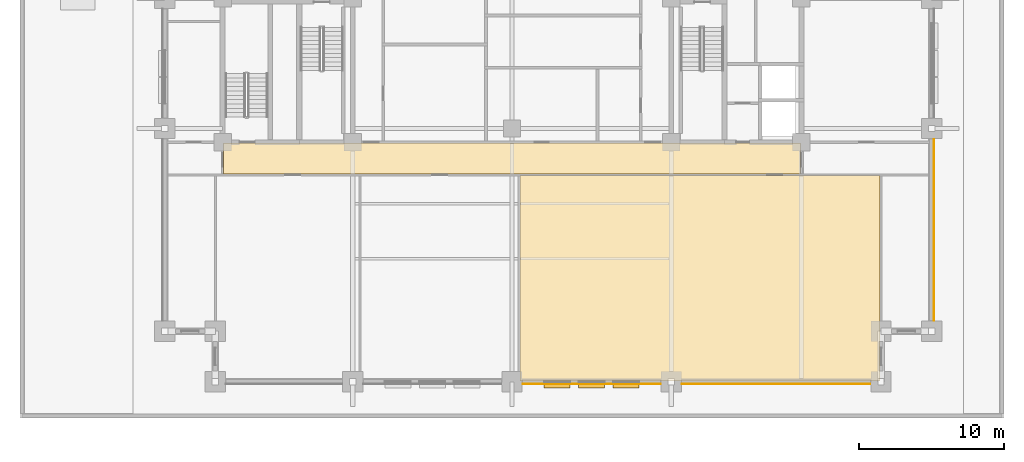
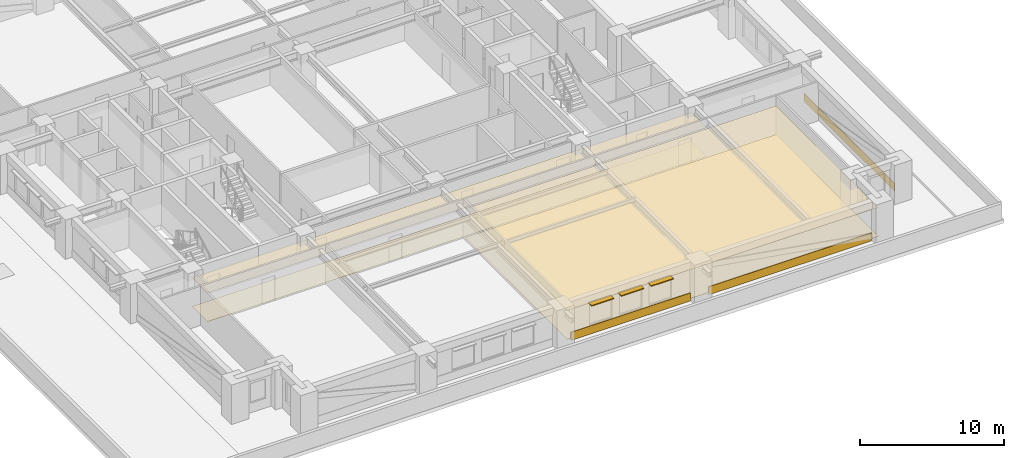
# One storey, part 10 of 12: 7 coverings, 3 shading devices.
"""IFC4 building model written with IfcOpenShell, lengths in metres."""

import ifcopenshell
import ifcopenshell.guid

model = None  # the IFC model being written
_history = None  # IfcOwnerHistory: only IFC2X3 demands one
_inside = {}  # id of a spatial element -> (the spatial element, [elements in it])
_under = {}  # id of a project, library or spatial element -> (it, [spatial elements below it])
_declared = {}  # id of a project -> (the project, [libraries it declares])
_typed = {}  # id of a type object -> (the type object, [elements of that type])
_made_of = {}  # id of a material, layer set ... -> (it, [elements and type objects made of it])


def new_model(schema):
    """Start an empty IFC model of exactly this schema.

    Asked for "IFC4X3", IfcOpenShell would pick the latest addendum, in which some entities
    have other attributes; the version numbers below select the first issue.
    IFC2X3 requires an IfcOwnerHistory on every rooted entity: one is made here for all.
    """
    global model, _history
    if schema == "IFC4X3":
        model = ifcopenshell.file(schema_version=(4, 3, 0, 0))
    else:
        model = ifcopenshell.file(schema=schema)
    _inside.clear()
    _under.clear()
    _declared.clear()
    _typed.clear()
    _made_of.clear()
    _history = None
    if model.schema == "IFC2X3":
        org = make("IfcOrganization", Name="unknown")
        user = make(
            "IfcPersonAndOrganization",
            ThePerson=make("IfcPerson", FamilyName="unknown"),
            TheOrganization=org,
        )
        app = make(
            "IfcApplication",
            ApplicationDeveloper=org,
            Version="unknown",
            ApplicationFullName="unknown",
            ApplicationIdentifier="unknown",
        )
        _history = make(
            "IfcOwnerHistory",
            OwningUser=user,
            OwningApplication=app,
            ChangeAction="ADDED",
            CreationDate=0,
        )
    return model


def make(cls, **values):
    """One entity of the class cls with the attributes given. An attribute that is None is left unset."""
    return model.create_entity(
        cls, **{name: value for name, value in values.items() if value is not None}
    )


def rooted(cls, **values):
    """An entity with a GlobalId (a new one), such as an element, a storey or a relation."""
    return make(cls, GlobalId=ifcopenshell.guid.new(), OwnerHistory=_history, **values)


def si_unit(unit_type, name, prefix=None):
    """IfcSIUnit, for example si_unit("LENGTHUNIT", "METRE", prefix="MILLI")."""
    return make("IfcSIUnit", UnitType=unit_type, Prefix=prefix, Name=name)


def assignment(units):
    """IfcUnitAssignment: the units of a project."""
    return None if units is None else make("IfcUnitAssignment", Units=units)


def point(xyz):
    """IfcCartesianPoint."""
    return None if xyz is None else make("IfcCartesianPoint", Coordinates=xyz)


def direction(xyz):
    """IfcDirection."""
    return None if xyz is None else make("IfcDirection", DirectionRatios=xyz)


def frame(location, z_axis=None, x_axis=None):
    """IfcAxis2Placement3D, a coordinate frame: its origin and axes. An axis left out is left unset."""
    return make(
        "IfcAxis2Placement3D",
        Location=point(location),
        Axis=direction(z_axis),
        RefDirection=direction(x_axis),
    )


def frame_2d(location, x_axis=None):
    """IfcAxis2Placement2D, a coordinate frame in the plane: its origin and x axis."""
    return make(
        "IfcAxis2Placement2D", Location=point(location), RefDirection=direction(x_axis)
    )


def origin():
    """The frame at (0, 0, 0) with its axes left unset."""
    return frame((0.0, 0.0, 0.0))


def place(relative_to, where):
    """IfcLocalPlacement: puts the frame where relative to a parent placement (None: the world)."""
    return make(
        "IfcLocalPlacement", PlacementRelTo=relative_to, RelativePlacement=where
    )


def context(
    kind, dimensions, precision=None, world=None, true_north=None, identifier=None
):
    """IfcGeometricRepresentationContext, for example the 3D "Model" context."""
    return make(
        "IfcGeometricRepresentationContext",
        ContextIdentifier=identifier,
        ContextType=kind,
        CoordinateSpaceDimension=dimensions,
        Precision=precision,
        WorldCoordinateSystem=world,
        TrueNorth=true_north,
    )


def subcontext(parent, identifier, kind, view, scale=None):
    """IfcGeometricRepresentationSubContext, for example "Body" below "Model"."""
    return make(
        "IfcGeometricRepresentationSubContext",
        ContextIdentifier=identifier,
        ContextType=kind,
        ParentContext=parent,
        TargetScale=scale,
        TargetView=view,
    )


def project(units=None, contexts=None):
    """IfcProject with its units and contexts."""
    return rooted(
        "IfcProject",
        Name="project",
        RepresentationContexts=contexts,
        UnitsInContext=assignment(units),
    )


def spatial(cls, under=None, at=None, **own):
    """A site, building, storey or space (cls), placed at a placement, below another one or the project."""
    s = rooted(cls, ObjectPlacement=at, **own)
    if under is not None:
        _under.setdefault(under.id(), (under, []))[1].append(s)
    return s


def polyline(points):
    """IfcPolyline through the points."""
    return make("IfcPolyline", Points=[point(p) for p in points])


def profile(cls, at=None, kind="AREA", **sizes):
    """A parametric profile (cls). Its sizes go by their IFC names, for example OverallWidth=200.0."""
    return make(cls, ProfileType=kind, Position=at, **sizes)


def rectangle(**sizes):
    """IfcRectangleProfileDef."""
    return profile("IfcRectangleProfileDef", **sizes)


def outline(outer, holes=None, kind="AREA"):
    """IfcArbitraryClosedProfileDef: a profile drawn as a closed curve; with holes, ...WithVoids."""
    if holes is None:
        return make("IfcArbitraryClosedProfileDef", ProfileType=kind, OuterCurve=outer)
    return make(
        "IfcArbitraryProfileDefWithVoids",
        ProfileType=kind,
        OuterCurve=outer,
        InnerCurves=holes,
    )


def extrude(swept, where, along, depth):
    """IfcExtrudedAreaSolid: the profile swept, set in the frame where, extruded along a direction by depth."""
    return make(
        "IfcExtrudedAreaSolid",
        SweptArea=swept,
        Position=where,
        ExtrudedDirection=direction(along),
        Depth=depth,
    )


def shape(context_of_items, identifier, shape_type, items):
    """IfcShapeRepresentation: the items that make up one representation, for example the "Body"."""
    return make(
        "IfcShapeRepresentation",
        ContextOfItems=context_of_items,
        RepresentationIdentifier=identifier,
        RepresentationType=shape_type,
        Items=items,
    )


def material(Name=None, Category=None):
    """IfcMaterial."""
    return make("IfcMaterial", Name=Name, Category=Category)


def layer(
    of_material, thickness, ventilated=None, Name=None, Category=None, Priority=None
):
    """IfcMaterialLayer: one layer of a wall or slab, of a material (None: an air gap)."""
    return make(
        "IfcMaterialLayer",
        Material=of_material,
        LayerThickness=thickness,
        IsVentilated=ventilated,
        Name=Name,
        Category=Category,
        Priority=Priority,
    )


def layer_set(layers, Name=None):
    """IfcMaterialLayerSet."""
    return make("IfcMaterialLayerSet", MaterialLayers=layers, LayerSetName=Name)


def made_of(thing, what):
    """Note that an element or type object is made of a material, layer set ...; save() writes the relation."""
    if what is not None:
        _made_of.setdefault(what.id(), (what, []))[1].append(thing)
    return thing


def type_object(cls, material=None, **own):
    """A type object (cls), such as IfcWallType, which elements share."""
    return made_of(rooted(cls, **own), material)


def element(
    cls,
    number,
    at=None,
    inside=None,
    cuts=None,
    type_object=None,
    material=None,
    context=None,
    identifier="Body",
    shape_type=None,
    held_by="IfcProductDefinitionShape",
    body=None,
    shapes=None,
    **own,
):
    """One element of the class cls, such as IfcWall. Its Tag is "e" and its number.

    at: its placement. inside: the storey or other place that contains it. cuts: it is an
    opening in that element (IfcRelVoidsElement). A single representation is given by context,
    identifier, shape_type and body (its items); several are given by shapes. held_by: the class
    of the entity that holds the representations. save() writes the other relations.
    """
    e = rooted(cls, Tag="e%d" % number, ObjectPlacement=at, **own)
    if body is not None:
        shapes = [shape(context, identifier, shape_type, body)]
    if shapes is not None:
        e.Representation = make(held_by, Representations=shapes)
    if inside is not None:
        _inside.setdefault(inside.id(), (inside, []))[1].append(e)
    if cuts is not None:
        rooted(
            "IfcRelVoidsElement", RelatingBuildingElement=cuts, RelatedOpeningElement=e
        )
    if type_object is not None:
        _typed.setdefault(type_object.id(), (type_object, []))[1].append(e)
    return made_of(e, material)


def aggregate(whole, parts):
    """IfcRelAggregates: a whole, such as a stair, and the parts it consists of."""
    return rooted("IfcRelAggregates", RelatingObject=whole, RelatedObjects=parts)


def save(model, path):
    """Write the relations noted so far, then the file.

    IfcRelAggregates (storeys below a building ...), IfcRelContainedInSpatialStructure (elements
    in a storey), IfcRelDefinesByType, IfcRelAssociatesMaterial and IfcRelDeclares: one each for
    every whole, place, type object, material and project.
    """
    for whole, parts in _under.values():
        aggregate(whole, parts)
    for where, things in _inside.values():
        rooted(
            "IfcRelContainedInSpatialStructure",
            RelatedElements=things,
            RelatingStructure=where,
        )
    for kind, things in _typed.values():
        rooted("IfcRelDefinesByType", RelatedObjects=things, RelatingType=kind)
    for what, things in _made_of.values():
        rooted("IfcRelAssociatesMaterial", RelatedObjects=things, RelatingMaterial=what)
    for by, libraries in _declared.values():
        rooted("IfcRelDeclares", RelatingContext=by, RelatedDefinitions=libraries)
    model.write(path)


model = new_model("IFC4")

# Units and contexts
model_context = context("Model", 3, precision=1e-05, world=origin(), true_north=direction((0.0, 1.0)))
body_context = subcontext(model_context, "Body", "Model", "MODEL_VIEW")
ifc_project = project(units=[si_unit("LENGTHUNIT", "METRE"), si_unit("AREAUNIT", "SQUARE_METRE"), si_unit("VOLUMEUNIT", "CUBIC_METRE"), si_unit("PLANEANGLEUNIT", "RADIAN"), si_unit("MASSUNIT", "GRAM", prefix="KILO")], contexts=[model_context])

# Site, building, storey
site_placement = place(None, origin())
site = spatial("IfcSite", under=ifc_project, at=site_placement, CompositionType="ELEMENT")
building_placement = place(site_placement, origin())
building = spatial("IfcBuilding", under=site, at=building_placement, Name="Zulmaris Gate Convention Tower", CompositionType="ELEMENT")
storey_placement = place(building_placement, frame((0.0, 0.0, 27.199951171875)))
storey = spatial("IfcBuildingStorey", under=building, at=storey_placement, Name="L05", CompositionType="ELEMENT", Elevation=27.199951171875)

# Coverings
ifc_material_1 = material(Name="Precast concrete C40/50", Category="concrete")
ifc_layer_1 = layer(ifc_material_1, 0.0400390625, Name="Precast concrete C40/50")
ifc_layer_set_1 = layer_set([ifc_layer_1], Name="Precast concrete C40/50")
covering_type_1 = type_object("IfcCoveringType", Name="CLAD-SPANDREL-PRECAST", PredefinedType="CLADDING", material=ifc_layer_set_1)
covering_1_placement = place(storey_placement, frame((0.72998046875, -26.64990234375, 0.0), z_axis=(0.0, 0.0, 1.0), x_axis=(1.0, 0.0, 0.0)))
element("IfcCovering", 1, at=covering_1_placement, inside=storey, type_object=covering_type_1, Name="CLD-L05-S-2_0", PredefinedType="CLADDING", context=body_context, shape_type="SweptSolid", body=[
    extrude(rectangle(XDim=9.5400390625, YDim=0.0400390625, at=frame_2d((4.77001953125, 0.0))), origin(), (0.0, 0.0, 1.0), 0.679931640625),
])
covering_2_placement = place(storey_placement, frame((11.72998046875, -26.64990234375, 0.0), z_axis=(0.0, 0.0, 1.0), x_axis=(1.0, 0.0, 0.0)))
element("IfcCovering", 2, at=covering_2_placement, inside=storey, type_object=covering_type_1, Name="CLD-L05-S-3_0", PredefinedType="CLADDING", context=body_context, shape_type="SweptSolid", body=[
    extrude(rectangle(XDim=13.0400390625, YDim=0.0400390625, at=frame_2d((6.52001953125, 0.0))), origin(), (0.0, 0.0, 1.0), 0.679931640625),
])
covering_3_placement = place(storey_placement, frame((29.14990234375, -22.27001953125, 0.0), z_axis=(0.0, 0.0, 1.0), x_axis=(0.0, 1.0, 0.0)))
element("IfcCovering", 3, at=covering_3_placement, inside=storey, type_object=covering_type_1, Name="CLD-L05-E-0_0", PredefinedType="CLADDING", context=body_context, shape_type="SweptSolid", body=[
    extrude(rectangle(XDim=12.5400390625, YDim=0.0400390625, at=frame_2d((6.27001953125, 0.0))), origin(), (0.0, 0.0, 1.0), 0.679931640625),
])
ifc_material_2 = material(Name="Mineral Fibre Acoustic Ceiling Tile")
ifc_layer_2 = layer(ifc_material_2, 0.02001953125, Name="Mineral Fibre Acoustic Ceiling Tile")
ifc_layer_set_2 = layer_set([ifc_layer_2], Name="Mineral Fibre Acoustic Ceiling Tile")
covering_type_2 = type_object("IfcCoveringType", Name="CLG-ACOUSTIC-600", PredefinedType="CEILING", material=ifc_layer_set_2)
covering_4_placement = place(storey_placement, frame((0.0, 0.0, 2.427978515625)))
element("IfcCovering", 4, at=covering_4_placement, inside=storey, type_object=covering_type_2, Name="CLG-L05-R32", PredefinedType="CEILING", context=body_context, shape_type="SweptSolid", body=[
    extrude(outline(polyline([(-19.93994140625, -12.139892578125), (19.93994140625, -12.139892578125), (19.93994140625, -10.010009765625), (-19.93994140625, -10.010009765625), (-19.93994140625, -12.139892578125)])), origin(), (0.0, 0.0, 1.0), 0.02001953125),
])
covering_5_placement = place(storey_placement, frame((0.0, 0.0, 2.427978515625)))
element("IfcCovering", 5, at=covering_5_placement, inside=storey, type_object=covering_type_2, Name="CLG-L05-R40", PredefinedType="CEILING", context=body_context, shape_type="SweptSolid", body=[
    extrude(outline(polyline([(0.56005859375, -26.43994140625), (25.43994140625, -26.43994140625), (25.43994140625, -12.260009765625), (0.56005859375, -12.260009765625), (0.56005859375, -26.43994140625)])), origin(), (0.0, 0.0, 1.0), 0.02001953125),
])
ifc_material_3 = material(Name="Woven Acoustic Wool Carpet Tile")
ifc_layer_3 = layer(ifc_material_3, 0.02001953125, Name="Woven Acoustic Wool Carpet Tile")
ifc_layer_set_3 = layer_set([ifc_layer_3], Name="Woven Acoustic Wool Carpet Tile")
covering_type_3 = type_object("IfcCoveringType", Name="FLR-CARPET-12", PredefinedType="FLOORING", material=ifc_layer_set_3)
covering_6_placement = place(storey_placement, origin())
element("IfcCovering", 6, at=covering_6_placement, inside=storey, type_object=covering_type_3, Name="FLR-L05-R32", PredefinedType="FLOORING", context=body_context, shape_type="SweptSolid", body=[
    extrude(outline(polyline([(-19.93994140625, -12.139892578125), (19.93994140625, -12.139892578125), (19.93994140625, -10.010009765625), (-19.93994140625, -10.010009765625), (-19.93994140625, -12.139892578125)])), origin(), (0.0, 0.0, 1.0), 0.02001953125),
])
covering_7_placement = place(storey_placement, origin())
element("IfcCovering", 7, at=covering_7_placement, inside=storey, type_object=covering_type_3, Name="FLR-L05-R40", PredefinedType="FLOORING", context=body_context, shape_type="SweptSolid", body=[
    extrude(outline(polyline([(0.56005859375, -26.43994140625), (25.43994140625, -26.43994140625), (25.43994140625, -12.260009765625), (0.56005859375, -12.260009765625), (0.56005859375, -26.43994140625)])), origin(), (0.0, 0.0, 1.0), 0.02001953125),
])

# Shading devices
ifc_material_4 = material(Name="Glazed Ceramic Terracotta", Category="masonry")
ifc_layer_4 = layer(ifc_material_4, 0.070068359375, Name="Glazed Ceramic Terracotta")
ifc_layer_set_4 = layer_set([ifc_layer_4], Name="Glazed Ceramic Terracotta")
shading_device_type = type_object("IfcShadingDeviceType", Name="SHD-SUNSHADE-TC", PredefinedType="AWNING", material=ifc_layer_set_4)
for number, where, z_axis, x_axis, name in (
    (8, (2.215087890625, -26.719970703125, 2.530029296875), (0.0, 0.0, 1.0), (1.0, 0.0, 0.0), "SHD-EW-L05-S-2_0-1"),
    (9, (4.60009765625, -26.719970703125, 2.530029296875), (0.0, 0.0, 1.0), (1.0, 0.0, 0.0), "SHD-EW-L05-S-2_0-2"),
    (10, (6.985107421875, -26.719970703125, 2.530029296875), (0.0, 0.0, 1.0), (1.0, 0.0, 0.0), "SHD-EW-L05-S-2_0-3"),
):
    element("IfcShadingDevice", number, at=place(storey_placement, frame(where, z_axis=z_axis, x_axis=x_axis)), inside=storey, type_object=shading_device_type, Name=name, PredefinedType="AWNING", context=body_context, shape_type="SweptSolid", body=[
        extrude(rectangle(XDim=1.7998046875, YDim=0.43994140625, at=frame_2d((0.89990234375, 0.0))), origin(), (0.0, 0.0, 1.0), 0.070068359375),
    ])

save(model, "model.ifc")
